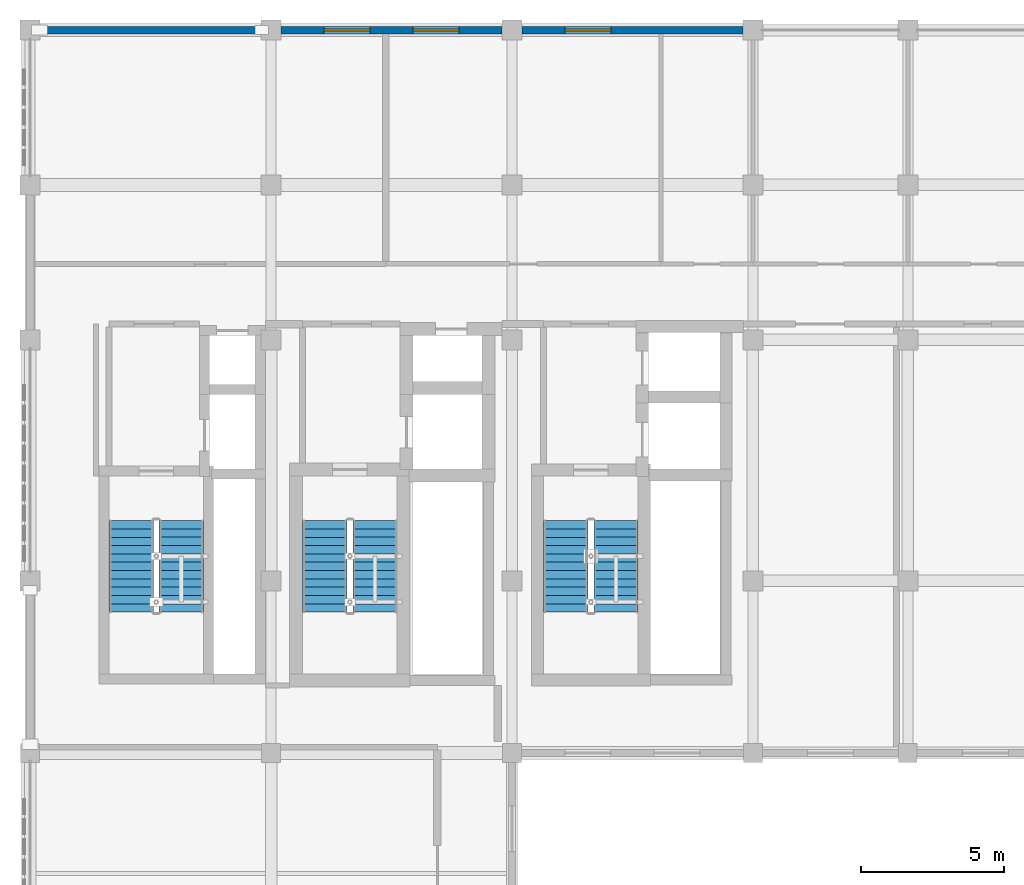
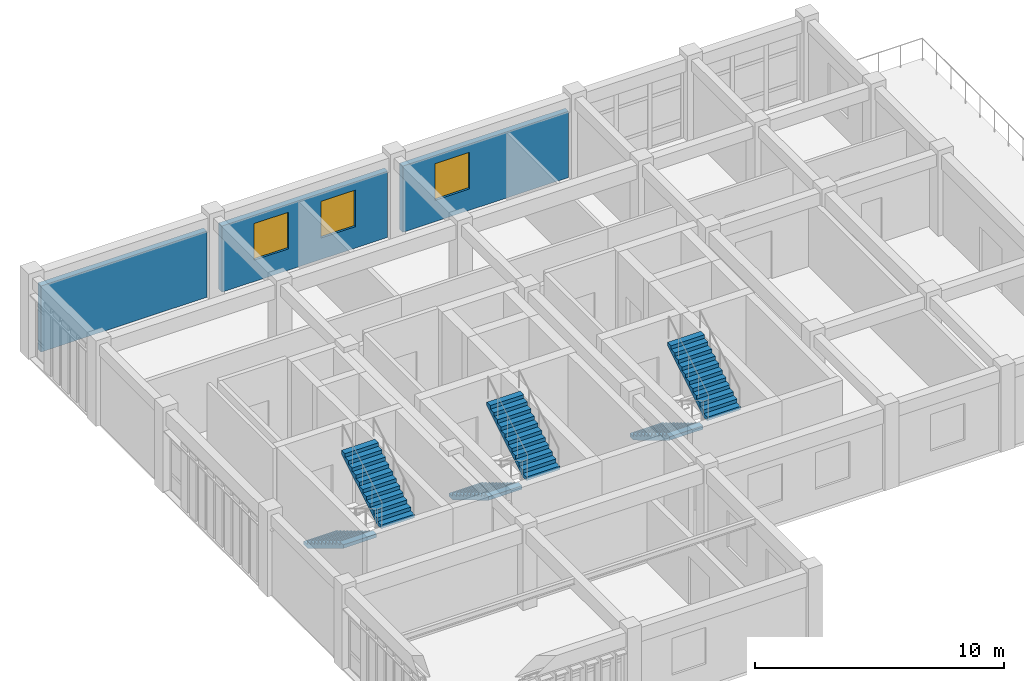
# One storey, part 21 of 23: 6 stair flights, 3 walls, 3 windows, 3 openings, 3 elements without a shape of their own.
"""IFC4 building model written with IfcOpenShell, lengths in metres."""

from ifc_helpers import new_model, si_unit, direction, frame, frame_2d, origin, place, context, subcontext, project, spatial, polyline, rectangle, outline, extrude, material, layer, layer_set, type_object, element, fill, aggregate, save


model = new_model("IFC4")

# Units and contexts
model_context = context("Model", 3, precision=1e-05, world=origin(), true_north=direction((0.0, 1.0)))
body_context = subcontext(model_context, "Body", "Model", "MODEL_VIEW")
ifc_project = project(units=[si_unit("LENGTHUNIT", "METRE"), si_unit("AREAUNIT", "SQUARE_METRE"), si_unit("VOLUMEUNIT", "CUBIC_METRE"), si_unit("PLANEANGLEUNIT", "RADIAN"), si_unit("MASSUNIT", "GRAM", prefix="KILO")], contexts=[model_context])

# Site, building, storey
site_placement = place(None, origin())
site = spatial("IfcSite", under=ifc_project, at=site_placement, CompositionType="ELEMENT")
building_placement = place(site_placement, origin())
building = spatial("IfcBuilding", under=site, at=building_placement, Name="Krzemoval Escarpment Law Courts", CompositionType="ELEMENT")
storey_placement = place(building_placement, frame((0.0, 0.0, 33.60009765625)))
storey = spatial("IfcBuildingStorey", under=building, at=storey_placement, Name="L07", CompositionType="ELEMENT", Elevation=33.60009765625)

# Wall
ifc_material_1 = material(Name="Precast concrete C40/50", Category="concrete")
ifc_layer = layer(ifc_material_1, 0.260009765625)
ifc_layer_set = layer_set([ifc_layer], Name="Precast concrete C40/50")
wall_type = type_object("IfcWallType", Name="WL-EXT-260", PredefinedType="SOLIDWALL", material=ifc_layer_set)
wall_1_placement = place(storey_placement, frame((126.35009765625, 118.800048828125, 0.0), z_axis=(0.0, 0.0, 1.0), x_axis=(1.0, 0.0, 0.0)))
element("IfcWall", 1, at=wall_1_placement, inside=storey, type_object=wall_type, Name="Exterior Wall EW-L07-0457", PredefinedType="SOLIDWALL", context=body_context, shape_type="SweptSolid", body=[
    extrude(rectangle(XDim=7.699951171875, YDim=0.260009765625, at=frame_2d((3.85009765625, 0.0))), origin(), (0.0, 0.0, 1.0), 3.25),
])

# Wall, openings, windows
wall_2_placement = place(storey_placement, frame((134.75, 118.800048828125, 0.0), z_axis=(0.0, 0.0, 1.0), x_axis=(1.0, 0.0, 0.0)))
wall_2 = element("IfcWall", 2, at=wall_2_placement, inside=storey, type_object=wall_type, Name="Exterior Wall EW-L07-0458", PredefinedType="SOLIDWALL", context=body_context, shape_type="SweptSolid", body=[
    extrude(rectangle(XDim=7.699951171875, YDim=0.260009765625, at=frame_2d((3.85009765625, 0.0))), origin(), (0.0, 0.0, 1.0), 3.25),
])
opening_1_placement = place(wall_2_placement, frame((1.5, 0.0, 1.050048828125)))
opening_1 = element("IfcOpeningElement", 3, at=opening_1_placement, cuts=wall_2, Name="Opening WN-L07-0536", PredefinedType="OPENING", context=body_context, shape_type="SweptSolid", body=[
    extrude(rectangle(XDim=1.60009765625, YDim=1.800048828125, at=frame_2d((0.800048828125, 0.89990234375))), frame((0.0, 0.145, 0.0), z_axis=(0.0, -1.0, 0.0), x_axis=(1.0, 0.0, 0.0)), (0.0, 0.0, 1.0), 0.29001),
])
opening_2_placement = place(wall_2_placement, frame((4.60009765625, 0.0, 1.050048828125)))
opening_2 = element("IfcOpeningElement", 4, at=opening_2_placement, cuts=wall_2, Name="Opening WN-L07-0537", PredefinedType="OPENING", context=body_context, shape_type="SweptSolid", body=[
    extrude(rectangle(XDim=1.60009765625, YDim=1.800048828125, at=frame_2d((0.800048828125, 0.89990234375))), frame((0.0, 0.145, 0.0), z_axis=(0.0, -1.0, 0.0), x_axis=(1.0, 0.0, 0.0)), (0.0, 0.0, 1.0), 0.29001),
])
ifc_material_2 = material(Name="Thermally Broken Aluminium Frame with Triple Low-E Acoustic Glass", Category="aluminium")
window_type = type_object("IfcWindowType", Name="WN-1600x1800", PartitioningType="SINGLE_PANEL", PredefinedType="WINDOW", material=ifc_material_2)
window_1_placement = place(opening_1_placement, origin())
window_1 = element("IfcWindow", 5, at=window_1_placement, inside=storey, type_object=window_type, Name="Facade Window WN-L07-0536", OverallHeight=1.800048828125, OverallWidth=1.60009765625, PartitioningType="SINGLE_PANEL", PredefinedType="WINDOW", context=body_context, shape_type="SweptSolid", body=[
    extrude(rectangle(XDim=1.60009765625, YDim=1.800048828125, at=frame_2d((0.800048828125, 0.89990234375))), frame((0.0, 0.030029296875, 0.0), z_axis=(0.0, -1.0, 0.0), x_axis=(1.0, 0.0, 0.0)), (0.0, 0.0, 1.0), 0.06005859375),
])
fill(opening_1, window_1)
window_2_placement = place(opening_2_placement, origin())
window_2 = element("IfcWindow", 6, at=window_2_placement, inside=storey, type_object=window_type, Name="Facade Window WN-L07-0537", OverallHeight=1.800048828125, OverallWidth=1.60009765625, PartitioningType="SINGLE_PANEL", PredefinedType="WINDOW", context=body_context, shape_type="SweptSolid", body=[
    extrude(rectangle(XDim=1.60009765625, YDim=1.800048828125, at=frame_2d((0.800048828125, 0.89990234375))), frame((0.0, 0.030029296875, 0.0), z_axis=(0.0, -1.0, 0.0), x_axis=(1.0, 0.0, 0.0)), (0.0, 0.0, 1.0), 0.06005859375),
])
fill(opening_2, window_2)

# Wall, opening, window
wall_3_placement = place(storey_placement, frame((143.14990234375, 118.800048828125, 0.0), z_axis=(0.0, 0.0, 1.0), x_axis=(1.0, 0.0, 0.0)))
wall_3 = element("IfcWall", 7, at=wall_3_placement, inside=storey, type_object=wall_type, Name="Exterior Wall EW-L07-0459", PredefinedType="SOLIDWALL", context=body_context, shape_type="SweptSolid", body=[
    extrude(rectangle(XDim=7.7001953125, YDim=0.260009765625, at=frame_2d((3.85009765625, 0.0))), origin(), (0.0, 0.0, 1.0), 3.25),
])
opening_3_placement = place(wall_3_placement, frame((1.5, 0.0, 1.050048828125)))
opening_3 = element("IfcOpeningElement", 8, at=opening_3_placement, cuts=wall_3, Name="Opening WN-L07-0538", PredefinedType="OPENING", context=body_context, shape_type="SweptSolid", body=[
    extrude(rectangle(XDim=1.60009765625, YDim=1.800048828125, at=frame_2d((0.800048828125, 0.89990234375))), frame((0.0, 0.145, 0.0), z_axis=(0.0, -1.0, 0.0), x_axis=(1.0, 0.0, 0.0)), (0.0, 0.0, 1.0), 0.29001),
])
window_3_placement = place(opening_3_placement, origin())
window_3 = element("IfcWindow", 9, at=window_3_placement, inside=storey, type_object=window_type, Name="Facade Window WN-L07-0538", OverallHeight=1.800048828125, OverallWidth=1.60009765625, PartitioningType="SINGLE_PANEL", PredefinedType="WINDOW", context=body_context, shape_type="SweptSolid", body=[
    extrude(rectangle(XDim=1.60009765625, YDim=1.800048828125, at=frame_2d((0.800048828125, 0.89990234375))), frame((0.0, 0.030029296875, 0.0), z_axis=(0.0, -1.0, 0.0), x_axis=(1.0, 0.0, 0.0)), (0.0, 0.0, 1.0), 0.06005859375),
])
fill(opening_3, window_3)

# Stair, stair flights
ifc_material_3 = material(Name="Concrete C40/50", Category="concrete")
stair_type = type_object("IfcStairType", Name="STR-CORE-1550", PredefinedType="HALF_TURN_STAIR", material=ifc_material_3)
stair_1_placement = place(storey_placement, origin())
stair_1 = element("IfcStair", 10, at=stair_1_placement, inside=storey, type_object=stair_type, Name="L07 ST1", PredefinedType="HALF_TURN_STAIR")
ifc_material_4 = material(Name="Concrete C40/50", Category="concrete")
stair_flight_type = type_object("IfcStairFlightType", Name="STF-CORE-1550", PredefinedType="STRAIGHT", material=ifc_material_4)
stair_flight_1_placement = place(storey_placement, frame((129.52490234375, 101.699951171875, 0.0), z_axis=(0.0, 0.0, 1.0), x_axis=(0.0, -1.0, 0.0)))
stair_flight_1 = element("IfcStairFlight", 11, at=stair_flight_1_placement, type_object=stair_flight_type, Name="ST1 flight 1", NumberOfRisers=12, NumberOfTreads=11, PredefinedType="STRAIGHT", RiserHeight=0.175, TreadLength=0.29, context=body_context, shape_type="SweptSolid", body=[
    extrude(outline(polyline([(0.0, 0.0), (0.0, 0.175048828125), (0.2900390625, 0.175048828125), (0.2900390625, 0.35009765625), (0.580078125, 0.35009765625), (0.580078125, 0.52490234375), (0.8701171875, 0.52490234375), (0.8701171875, 0.699951171875), (1.159912109375, 0.699951171875), (1.159912109375, 0.875), (1.449951171875, 0.875), (1.449951171875, 1.050048828125), (1.739990234375, 1.050048828125), (1.739990234375, 1.22509765625), (2.030029296875, 1.22509765625), (2.030029296875, 1.39990234375), (2.320068359375, 1.39990234375), (2.320068359375, 1.574951171875), (2.610107421875, 1.574951171875), (2.610107421875, 1.75), (2.89990234375, 1.75), (2.89990234375, 1.925048828125), (3.18994140625, 1.925048828125), (3.18994140625, 2.10009765625), (3.18994140625, 1.75), (0.2900390625, 0.0), (0.0, 0.0)])), frame((0.0, 0.77490234375, 0.0), z_axis=(0.0, -1.0, 0.0), x_axis=(1.0, 0.0, 0.0)), (0.0, 0.0, 1.0), 1.550048828125),
])
stair_flight_2_placement = place(storey_placement, frame((131.27490234375, 98.510009765625, 2.099853515625), z_axis=(0.0, 0.0, 1.0), x_axis=(0.0, 1.0, 0.0)))
stair_flight_2 = element("IfcStairFlight", 12, at=stair_flight_2_placement, type_object=stair_flight_type, Name="ST1 flight 2", NumberOfRisers=12, NumberOfTreads=11, PredefinedType="STRAIGHT", RiserHeight=0.175, TreadLength=0.29, context=body_context, shape_type="SweptSolid", body=[
    extrude(outline(polyline([(0.0, 0.0), (0.0, 0.175048828125), (0.2900390625, 0.175048828125), (0.2900390625, 0.35009765625), (0.580078125, 0.35009765625), (0.580078125, 0.52490234375), (0.8701171875, 0.52490234375), (0.8701171875, 0.699951171875), (1.159912109375, 0.699951171875), (1.159912109375, 0.875), (1.449951171875, 0.875), (1.449951171875, 1.050048828125), (1.739990234375, 1.050048828125), (1.739990234375, 1.22509765625), (2.030029296875, 1.22509765625), (2.030029296875, 1.39990234375), (2.320068359375, 1.39990234375), (2.320068359375, 1.574951171875), (2.610107421875, 1.574951171875), (2.610107421875, 1.75), (2.89990234375, 1.75), (2.89990234375, 1.925048828125), (3.18994140625, 1.925048828125), (3.18994140625, 2.10009765625), (3.18994140625, 1.75), (0.2900390625, 0.0), (0.0, 0.0)])), frame((0.0, 0.77490234375, 0.0), z_axis=(0.0, -1.0, 0.0), x_axis=(1.0, 0.0, 0.0)), (0.0, 0.0, 1.0), 1.550048828125),
])
aggregate(stair_1, [stair_flight_1, stair_flight_2])

stair_2_placement = place(storey_placement, origin())
stair_2 = element("IfcStair", 13, at=stair_2_placement, inside=storey, type_object=stair_type, Name="L07 ST2", PredefinedType="HALF_TURN_STAIR")
stair_flight_3_placement = place(storey_placement, frame((136.27490234375, 101.699951171875, 0.0), z_axis=(0.0, 0.0, 1.0), x_axis=(0.0, -1.0, 0.0)))
stair_flight_3 = element("IfcStairFlight", 14, at=stair_flight_3_placement, type_object=stair_flight_type, Name="ST2 flight 1", NumberOfRisers=12, NumberOfTreads=11, PredefinedType="STRAIGHT", RiserHeight=0.175, TreadLength=0.29, context=body_context, shape_type="SweptSolid", body=[
    extrude(outline(polyline([(0.0, 0.0), (0.0, 0.175048828125), (0.2900390625, 0.175048828125), (0.2900390625, 0.35009765625), (0.580078125, 0.35009765625), (0.580078125, 0.52490234375), (0.8701171875, 0.52490234375), (0.8701171875, 0.699951171875), (1.159912109375, 0.699951171875), (1.159912109375, 0.875), (1.449951171875, 0.875), (1.449951171875, 1.050048828125), (1.739990234375, 1.050048828125), (1.739990234375, 1.22509765625), (2.030029296875, 1.22509765625), (2.030029296875, 1.39990234375), (2.320068359375, 1.39990234375), (2.320068359375, 1.574951171875), (2.610107421875, 1.574951171875), (2.610107421875, 1.75), (2.89990234375, 1.75), (2.89990234375, 1.925048828125), (3.18994140625, 1.925048828125), (3.18994140625, 2.10009765625), (3.18994140625, 1.75), (0.2900390625, 0.0), (0.0, 0.0)])), frame((0.0, 0.77490234375, 0.0), z_axis=(0.0, -1.0, 0.0), x_axis=(1.0, 0.0, 0.0)), (0.0, 0.0, 1.0), 1.550048828125),
])
stair_flight_4_placement = place(storey_placement, frame((138.02490234375, 98.510009765625, 2.099853515625), z_axis=(0.0, 0.0, 1.0), x_axis=(0.0, 1.0, 0.0)))
stair_flight_4 = element("IfcStairFlight", 15, at=stair_flight_4_placement, type_object=stair_flight_type, Name="ST2 flight 2", NumberOfRisers=12, NumberOfTreads=11, PredefinedType="STRAIGHT", RiserHeight=0.175, TreadLength=0.29, context=body_context, shape_type="SweptSolid", body=[
    extrude(outline(polyline([(0.0, 0.0), (0.0, 0.175048828125), (0.2900390625, 0.175048828125), (0.2900390625, 0.35009765625), (0.580078125, 0.35009765625), (0.580078125, 0.52490234375), (0.8701171875, 0.52490234375), (0.8701171875, 0.699951171875), (1.159912109375, 0.699951171875), (1.159912109375, 0.875), (1.449951171875, 0.875), (1.449951171875, 1.050048828125), (1.739990234375, 1.050048828125), (1.739990234375, 1.22509765625), (2.030029296875, 1.22509765625), (2.030029296875, 1.39990234375), (2.320068359375, 1.39990234375), (2.320068359375, 1.574951171875), (2.610107421875, 1.574951171875), (2.610107421875, 1.75), (2.89990234375, 1.75), (2.89990234375, 1.925048828125), (3.18994140625, 1.925048828125), (3.18994140625, 2.10009765625), (3.18994140625, 1.75), (0.2900390625, 0.0), (0.0, 0.0)])), frame((0.0, 0.77490234375, 0.0), z_axis=(0.0, -1.0, 0.0), x_axis=(1.0, 0.0, 0.0)), (0.0, 0.0, 1.0), 1.550048828125),
])
aggregate(stair_2, [stair_flight_3, stair_flight_4])

stair_3_placement = place(storey_placement, origin())
stair_3 = element("IfcStair", 16, at=stair_3_placement, inside=storey, type_object=stair_type, Name="L07 ST3", PredefinedType="HALF_TURN_STAIR")
stair_flight_5_placement = place(storey_placement, frame((144.675048828125, 101.699951171875, 0.0), z_axis=(0.0, 0.0, 1.0), x_axis=(0.0, -1.0, 0.0)))
stair_flight_5 = element("IfcStairFlight", 17, at=stair_flight_5_placement, type_object=stair_flight_type, Name="ST3 flight 1", NumberOfRisers=12, NumberOfTreads=11, PredefinedType="STRAIGHT", RiserHeight=0.175, TreadLength=0.29, context=body_context, shape_type="SweptSolid", body=[
    extrude(outline(polyline([(0.0, 0.0), (0.0, 0.175048828125), (0.2900390625, 0.175048828125), (0.2900390625, 0.35009765625), (0.580078125, 0.35009765625), (0.580078125, 0.52490234375), (0.8701171875, 0.52490234375), (0.8701171875, 0.699951171875), (1.159912109375, 0.699951171875), (1.159912109375, 0.875), (1.449951171875, 0.875), (1.449951171875, 1.050048828125), (1.739990234375, 1.050048828125), (1.739990234375, 1.22509765625), (2.030029296875, 1.22509765625), (2.030029296875, 1.39990234375), (2.320068359375, 1.39990234375), (2.320068359375, 1.574951171875), (2.610107421875, 1.574951171875), (2.610107421875, 1.75), (2.89990234375, 1.75), (2.89990234375, 1.925048828125), (3.18994140625, 1.925048828125), (3.18994140625, 2.10009765625), (3.18994140625, 1.75), (0.2900390625, 0.0), (0.0, 0.0)])), frame((0.0, 0.77490234375, 0.0), z_axis=(0.0, -1.0, 0.0), x_axis=(1.0, 0.0, 0.0)), (0.0, 0.0, 1.0), 1.550048828125),
])
stair_flight_6_placement = place(storey_placement, frame((146.425048828125, 98.510009765625, 2.099853515625), z_axis=(0.0, 0.0, 1.0), x_axis=(0.0, 1.0, 0.0)))
stair_flight_6 = element("IfcStairFlight", 18, at=stair_flight_6_placement, type_object=stair_flight_type, Name="ST3 flight 2", NumberOfRisers=12, NumberOfTreads=11, PredefinedType="STRAIGHT", RiserHeight=0.175, TreadLength=0.29, context=body_context, shape_type="SweptSolid", body=[
    extrude(outline(polyline([(0.0, 0.0), (0.0, 0.175048828125), (0.2900390625, 0.175048828125), (0.2900390625, 0.35009765625), (0.580078125, 0.35009765625), (0.580078125, 0.52490234375), (0.8701171875, 0.52490234375), (0.8701171875, 0.699951171875), (1.159912109375, 0.699951171875), (1.159912109375, 0.875), (1.449951171875, 0.875), (1.449951171875, 1.050048828125), (1.739990234375, 1.050048828125), (1.739990234375, 1.22509765625), (2.030029296875, 1.22509765625), (2.030029296875, 1.39990234375), (2.320068359375, 1.39990234375), (2.320068359375, 1.574951171875), (2.610107421875, 1.574951171875), (2.610107421875, 1.75), (2.89990234375, 1.75), (2.89990234375, 1.925048828125), (3.18994140625, 1.925048828125), (3.18994140625, 2.10009765625), (3.18994140625, 1.75), (0.2900390625, 0.0), (0.0, 0.0)])), frame((0.0, 0.77490234375, 0.0), z_axis=(0.0, -1.0, 0.0), x_axis=(1.0, 0.0, 0.0)), (0.0, 0.0, 1.0), 1.550048828125),
])
aggregate(stair_3, [stair_flight_5, stair_flight_6])

save(model, "model.ifc")
